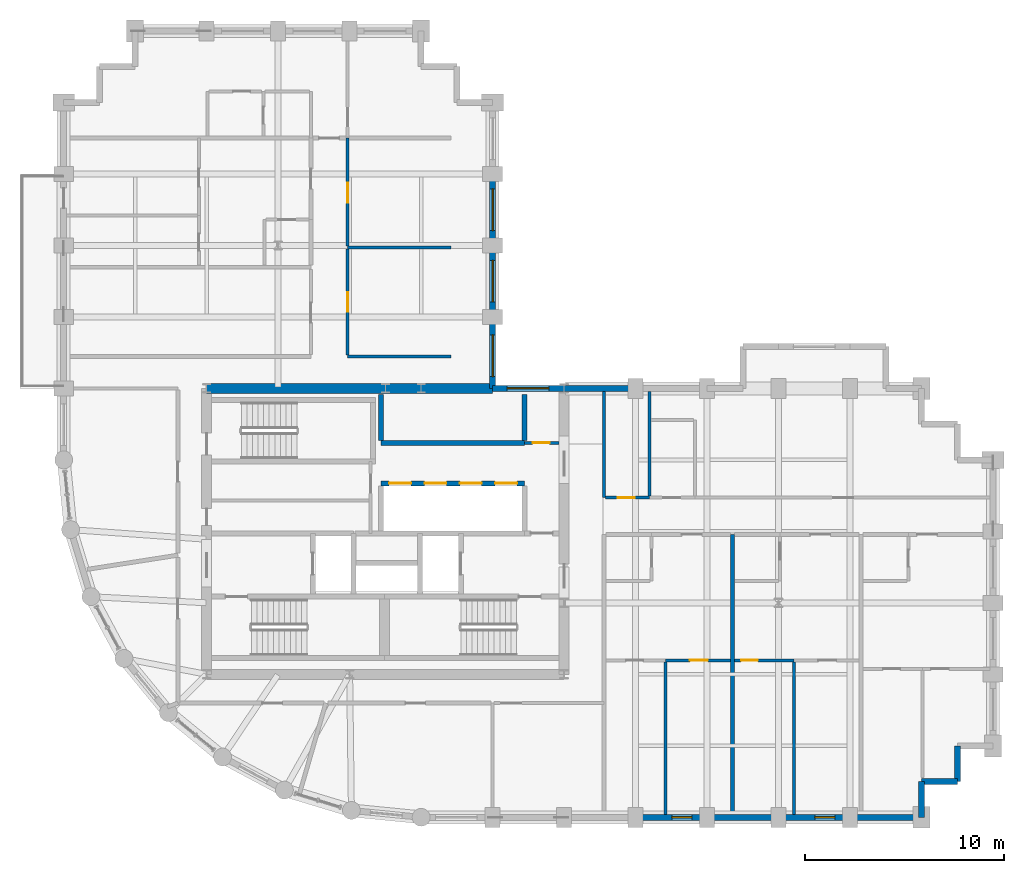
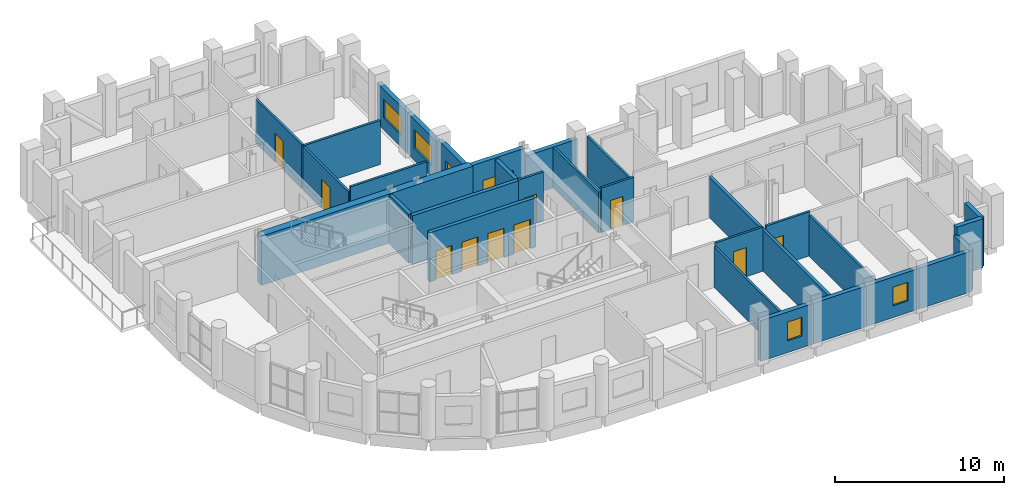
# One storey, part 11 of 15: 30 walls, 10 doors, 6 windows, 16 openings.
"""IFC4 building model written with IfcOpenShell, lengths in metres."""

from ifc_helpers import new_model, si_unit, direction, frame, frame_2d, origin, place, context, subcontext, project, spatial, rectangle, extrude, material, layer, layer_set, type_object, element, fill, save


model = new_model("IFC4")

# Units and contexts
model_context = context("Model", 3, precision=1e-05, world=origin(), true_north=direction((0.0, 1.0)))
body_context = subcontext(model_context, "Body", "Model", "MODEL_VIEW")
ifc_project = project(units=[si_unit("LENGTHUNIT", "METRE"), si_unit("AREAUNIT", "SQUARE_METRE"), si_unit("VOLUMEUNIT", "CUBIC_METRE"), si_unit("PLANEANGLEUNIT", "RADIAN"), si_unit("MASSUNIT", "GRAM", prefix="KILO")], contexts=[model_context])

# Site, building, storey
site_placement = place(None, origin())
site = spatial("IfcSite", under=ifc_project, at=site_placement, CompositionType="ELEMENT")
building_placement = place(site_placement, origin())
building = spatial("IfcBuilding", under=site, at=building_placement, Name="Solnavia Interchange Tower", CompositionType="ELEMENT")
storey_placement = place(building_placement, frame((0.0, 0.0, 146.60009765625)))
storey = spatial("IfcBuildingStorey", under=building, at=storey_placement, Name="L36", CompositionType="ELEMENT", Elevation=146.60009765625)

# Wall
ifc_material_1 = material(Name="Gypsum Acoustic Twin-Stud & Mineral Wool", Category="gypsum")
ifc_layer_1 = layer(ifc_material_1, 0.199951171875)
ifc_layer_set_1 = layer_set([ifc_layer_1], Name="Gypsum Acoustic Twin-Stud & Mineral Wool")
wall_type_1 = type_object("IfcWallType", Name="Wall-ApartmentParty-200", PredefinedType="PARTITIONING", material=ifc_layer_set_1)
wall_1_placement = place(storey_placement, frame((40.8701171875, 3.75390625, 0.0), z_axis=(0.0, 0.0, 1.0), x_axis=(0.0, 1.0, 0.0)))
element("IfcWall", 1, at=wall_1_placement, inside=storey, type_object=wall_type_1, Name="PTW-L36-18 Interior partition wall", PredefinedType="PARTITIONING", context=body_context, shape_type="SweptSolid", body=[
    extrude(rectangle(XDim=14.09619140625, YDim=0.199951171875, at=frame_2d((7.048095703125, 0.0))), origin(), (0.0, 0.0, 1.0), 2.929931640625),
])

# Wall, opening, window
ifc_material_2 = material(Name="Concrete C40/50", Category="concrete")
ifc_layer_2 = layer(ifc_material_2, 0.300048828125)
ifc_layer_set_2 = layer_set([ifc_layer_2], Name="Concrete C40/50")
wall_type_2 = type_object("IfcWallType", Name="Wall-ExtSpandrel-300", PredefinedType="STANDARD", material=ifc_layer_set_2)
wall_2_placement = place(storey_placement, frame((39.60009765625, 3.60009765625, 0.0), z_axis=(0.0, 0.0, 1.0), x_axis=(-1.0, 0.0, 0.0)))
wall_2 = element("IfcWall", 2, at=wall_2_placement, inside=storey, type_object=wall_type_2, Name="EXW-L36-04 Exterior precast spandrel wall", PredefinedType="STANDARD", context=body_context, shape_type="SweptSolid", body=[
    extrude(rectangle(XDim=3.60009765625, YDim=0.300048828125, at=frame_2d((1.800048828125, 0.0))), origin(), (0.0, 0.0, 1.0), 2.929931640625),
])
opening_1_placement = place(wall_2_placement, frame((0.76904296875, 0.0, 0.85009765625)))
opening_1 = element("IfcOpeningElement", 3, at=opening_1_placement, cuts=wall_2, Name="Opening WIN-07", PredefinedType="OPENING", context=body_context, shape_type="SweptSolid", body=[
    extrude(rectangle(XDim=1.0, YDim=1.35009765625, at=frame_2d((0.5, 0.675048828125))), frame((0.0, 0.16015625, 0.0), z_axis=(0.0, -1.0, 0.0), x_axis=(1.0, 0.0, 0.0)), (0.0, 0.0, 1.0), 0.320068359375),
])
ifc_material_3 = material(Name="Thermal-Break Aluminium & Low-E Glass", Category="aluminium")
window_type_1 = type_object("IfcWindowType", Name="Window-Bedroom-1000x1350", PartitioningType="SINGLE_PANEL", PredefinedType="WINDOW", material=ifc_material_3)
window_1_placement = place(opening_1_placement, origin())
window_1 = element("IfcWindow", 4, at=window_1_placement, inside=storey, type_object=window_type_1, Name="WIN-L36-DW01 Dwelling bedroom window", OverallHeight=1.35009765625, OverallWidth=1.0, PartitioningType="SINGLE_PANEL", PredefinedType="WINDOW", context=body_context, shape_type="SweptSolid", body=[
    extrude(rectangle(XDim=1.0, YDim=1.35009765625, at=frame_2d((0.5, 0.675048828125))), frame((0.0, 0.030029296875, 0.0), z_axis=(0.0, -1.0, 0.0), x_axis=(1.0, 0.0, 0.0)), (0.0, 0.0, 1.0), 0.06005859375),
])
fill(opening_1, window_1)

# Wall
wall_3_placement = place(storey_placement, frame((43.199951171875, 3.60009765625, 0.0), z_axis=(0.0, 0.0, 1.0), x_axis=(-1.0, 0.0, 0.0)))
element("IfcWall", 5, at=wall_3_placement, inside=storey, type_object=wall_type_2, Name="EXW-L36-05 Exterior precast spandrel wall", PredefinedType="STANDARD", context=body_context, shape_type="SweptSolid", body=[
    extrude(rectangle(XDim=3.599853515625, YDim=0.300048828125, at=frame_2d((1.7998046875, 0.0))), origin(), (0.0, 0.0, 1.0), 2.929931640625),
])

# Wall, opening, window
wall_4_placement = place(storey_placement, frame((46.800048828125, 3.60009765625, 0.0), z_axis=(0.0, 0.0, 1.0), x_axis=(-1.0, 0.0, 0.0)))
wall_4 = element("IfcWall", 6, at=wall_4_placement, inside=storey, type_object=wall_type_2, Name="EXW-L36-06 Exterior precast spandrel wall", PredefinedType="STANDARD", context=body_context, shape_type="SweptSolid", body=[
    extrude(rectangle(XDim=3.60009765625, YDim=0.300048828125, at=frame_2d((1.800048828125, 0.0))), origin(), (0.0, 0.0, 1.0), 2.929931640625),
])
opening_2_placement = place(wall_4_placement, frame((0.76904296875, 0.0, 0.85009765625)))
opening_2 = element("IfcOpeningElement", 7, at=opening_2_placement, cuts=wall_4, Name="Opening WIN-07", PredefinedType="OPENING", context=body_context, shape_type="SweptSolid", body=[
    extrude(rectangle(XDim=1.0, YDim=1.35009765625, at=frame_2d((0.5, 0.675048828125))), frame((0.0, 0.16015625, 0.0), z_axis=(0.0, -1.0, 0.0), x_axis=(1.0, 0.0, 0.0)), (0.0, 0.0, 1.0), 0.320068359375),
])
window_2_placement = place(opening_2_placement, origin())
window_2 = element("IfcWindow", 8, at=window_2_placement, inside=storey, type_object=window_type_1, Name="WIN-L36-DW02 Dwelling bedroom window", OverallHeight=1.35009765625, OverallWidth=1.0, PartitioningType="SINGLE_PANEL", PredefinedType="WINDOW", context=body_context, shape_type="SweptSolid", body=[
    extrude(rectangle(XDim=1.0, YDim=1.35009765625, at=frame_2d((0.5, 0.675048828125))), frame((0.0, 0.030029296875, 0.0), z_axis=(0.0, -1.0, 0.0), x_axis=(1.0, 0.0, 0.0)), (0.0, 0.0, 1.0), 0.06005859375),
])
fill(opening_2, window_2)

# Walls
wall_5_placement = place(storey_placement, frame((50.39990234375, 3.60009765625, 0.0), z_axis=(0.0, 0.0, 1.0), x_axis=(-1.0, 0.0, 0.0)))
element("IfcWall", 9, at=wall_5_placement, inside=storey, type_object=wall_type_2, Name="EXW-L36-07 Exterior precast spandrel wall", PredefinedType="STANDARD", context=body_context, shape_type="SweptSolid", body=[
    extrude(rectangle(XDim=3.599853515625, YDim=0.300048828125, at=frame_2d((1.7998046875, 0.0))), origin(), (0.0, 0.0, 1.0), 2.929931640625),
])
wall_6_placement = place(storey_placement, frame((50.39990234375, 5.39990234375, 0.0), z_axis=(0.0, 0.0, 1.0), x_axis=(0.0, -1.0, 0.0)))
element("IfcWall", 10, at=wall_6_placement, inside=storey, type_object=wall_type_2, Name="EXW-L36-08 Exterior precast spandrel wall", PredefinedType="STANDARD", context=body_context, shape_type="SweptSolid", body=[
    extrude(rectangle(XDim=1.7998046875, YDim=0.300048828125, at=frame_2d((0.89990234375, 0.0))), origin(), (0.0, 0.0, 1.0), 2.929931640625),
])
for number, where, z_axis, x_axis, name in (
    (11, (52.199951171875, 5.39990234375, 0.0), (0.0, 0.0, 1.0), (-1.0, 0.0, 0.0), "EXW-L36-09 Exterior precast spandrel wall"),
    (12, (52.199951171875, 7.199951171875, 0.0), (0.0, 0.0, 1.0), (0.0, -1.0, 0.0), "EXW-L36-10 Exterior precast spandrel wall"),
):
    element("IfcWall", number, at=place(storey_placement, frame(where, z_axis=z_axis, x_axis=x_axis)), inside=storey, type_object=wall_type_2, Name=name, PredefinedType="STANDARD", context=body_context, shape_type="SweptSolid", body=[
        extrude(rectangle(XDim=1.800048828125, YDim=0.300048828125, at=frame_2d((0.89990234375, 0.0))), origin(), (0.0, 0.0, 1.0), 3.534912109375),
    ])
wall_7_placement = place(storey_placement, frame((32.39990234375, 25.199951171875, 0.0), z_axis=(0.0, 0.0, 1.0), x_axis=(1.0, 0.0, 0.0)))
element("IfcWall", 13, at=wall_7_placement, inside=storey, type_object=wall_type_2, Name="EXW-L36-28 Exterior precast spandrel wall", PredefinedType="STANDARD", context=body_context, shape_type="SweptSolid", body=[
    extrude(rectangle(XDim=3.60009765625, YDim=0.300048828125, at=frame_2d((1.800048828125, 0.0))), origin(), (0.0, 0.0, 1.0), 2.929931640625),
])

# Wall, opening, window
wall_8_placement = place(storey_placement, frame((28.800048828125, 25.199951171875, 0.0), z_axis=(0.0, 0.0, 1.0), x_axis=(1.0, 0.0, 0.0)))
wall_8 = element("IfcWall", 14, at=wall_8_placement, inside=storey, type_object=wall_type_2, Name="EXW-L36-29 Exterior precast spandrel wall", PredefinedType="STANDARD", context=body_context, shape_type="SweptSolid", body=[
    extrude(rectangle(XDim=3.599853515625, YDim=0.300048828125, at=frame_2d((1.7998046875, 0.0))), origin(), (0.0, 0.0, 1.0), 3.534912109375),
])
opening_3_placement = place(wall_8_placement, frame((0.73388671875, 0.0, 0.85009765625)))
opening_3 = element("IfcOpeningElement", 15, at=opening_3_placement, cuts=wall_8, Name="Opening WIN-01", PredefinedType="OPENING", context=body_context, shape_type="SweptSolid", body=[
    extrude(rectangle(XDim=2.10009765625, YDim=1.35009765625, at=frame_2d((1.050048828125, 0.675048828125))), frame((0.0, 0.16015625, 0.0), z_axis=(0.0, -1.0, 0.0), x_axis=(1.0, 0.0, 0.0)), (0.0, 0.0, 1.0), 0.320068359375),
])
window_type_2 = type_object("IfcWindowType", Name="Window-Ribbon-2100x1350", PartitioningType="SINGLE_PANEL", PredefinedType="WINDOW", material=ifc_material_3)
window_3_placement = place(opening_3_placement, origin())
window_3 = element("IfcWindow", 16, at=window_3_placement, inside=storey, type_object=window_type_2, Name="WIN-L36-29 Facade ribbon window", OverallHeight=1.35009765625, OverallWidth=2.10009765625, PartitioningType="SINGLE_PANEL", PredefinedType="WINDOW", context=body_context, shape_type="SweptSolid", body=[
    extrude(rectangle(XDim=2.10009765625, YDim=1.35009765625, at=frame_2d((1.050048828125, 0.675048828125))), frame((0.0, 0.030029296875, 0.0), z_axis=(0.0, -1.0, 0.0), x_axis=(1.0, 0.0, 0.0)), (0.0, 0.0, 1.0), 0.06005859375),
])
fill(opening_3, window_3)

wall_9_placement = place(storey_placement, frame((28.800048828125, 28.800048828125, 0.0), z_axis=(0.0, 0.0, 1.0), x_axis=(0.0, -1.0, 0.0)))
wall_9 = element("IfcWall", 17, at=wall_9_placement, inside=storey, type_object=wall_type_2, Name="EXW-L36-30 Exterior precast spandrel wall", PredefinedType="STANDARD", context=body_context, shape_type="SweptSolid", body=[
    extrude(rectangle(XDim=3.60009765625, YDim=0.300048828125, at=frame_2d((1.800048828125, 0.0))), origin(), (0.0, 0.0, 1.0), 3.169921875),
])
opening_4_placement = place(wall_9_placement, frame((0.905029296875, 0.0, 0.85009765625)))
opening_4 = element("IfcOpeningElement", 18, at=opening_4_placement, cuts=wall_9, Name="Opening WIN-01", PredefinedType="OPENING", context=body_context, shape_type="SweptSolid", body=[
    extrude(rectangle(XDim=2.10009765625, YDim=1.35009765625, at=frame_2d((1.050048828125, 0.675048828125))), frame((0.0, 0.16015625, 0.0), z_axis=(0.0, -1.0, 0.0), x_axis=(1.0, 0.0, 0.0)), (0.0, 0.0, 1.0), 0.320068359375),
])
window_4_placement = place(opening_4_placement, origin())
window_4 = element("IfcWindow", 19, at=window_4_placement, inside=storey, type_object=window_type_2, Name="WIN-L36-30 Facade ribbon window", OverallHeight=1.35009765625, OverallWidth=2.10009765625, PartitioningType="SINGLE_PANEL", PredefinedType="WINDOW", context=body_context, shape_type="SweptSolid", body=[
    extrude(rectangle(XDim=2.10009765625, YDim=1.35009765625, at=frame_2d((1.050048828125, 0.675048828125))), frame((0.0, 0.030029296875, 0.0), z_axis=(0.0, -1.0, 0.0), x_axis=(1.0, 0.0, 0.0)), (0.0, 0.0, 1.0), 0.06005859375),
])
fill(opening_4, window_4)

wall_10_placement = place(storey_placement, frame((28.800048828125, 32.39990234375, 0.0), z_axis=(0.0, 0.0, 1.0), x_axis=(0.0, -1.0, 0.0)))
wall_10 = element("IfcWall", 20, at=wall_10_placement, inside=storey, type_object=wall_type_2, Name="EXW-L36-31 Exterior precast spandrel wall", PredefinedType="STANDARD", context=body_context, shape_type="SweptSolid", body=[
    extrude(rectangle(XDim=3.599853515625, YDim=0.300048828125, at=frame_2d((1.7998046875, 0.0))), origin(), (0.0, 0.0, 1.0), 2.929931640625),
])
opening_5_placement = place(wall_10_placement, frame((0.75, 0.0, 0.85009765625)))
opening_5 = element("IfcOpeningElement", 21, at=opening_5_placement, cuts=wall_10, Name="Opening WIN-01", PredefinedType="OPENING", context=body_context, shape_type="SweptSolid", body=[
    extrude(rectangle(XDim=2.10009765625, YDim=1.35009765625, at=frame_2d((1.050048828125, 0.675048828125))), frame((0.0, 0.16015625, 0.0), z_axis=(0.0, -1.0, 0.0), x_axis=(1.0, 0.0, 0.0)), (0.0, 0.0, 1.0), 0.320068359375),
])
window_5_placement = place(opening_5_placement, origin())
window_5 = element("IfcWindow", 22, at=window_5_placement, inside=storey, type_object=window_type_2, Name="WIN-L36-31 Facade ribbon window", OverallHeight=1.35009765625, OverallWidth=2.10009765625, PartitioningType="SINGLE_PANEL", PredefinedType="WINDOW", context=body_context, shape_type="SweptSolid", body=[
    extrude(rectangle(XDim=2.10009765625, YDim=1.35009765625, at=frame_2d((1.050048828125, 0.675048828125))), frame((0.0, 0.030029296875, 0.0), z_axis=(0.0, -1.0, 0.0), x_axis=(1.0, 0.0, 0.0)), (0.0, 0.0, 1.0), 0.06005859375),
])
fill(opening_5, window_5)

wall_11_placement = place(storey_placement, frame((28.800048828125, 36.0, 0.0), z_axis=(0.0, 0.0, 1.0), x_axis=(0.0, -1.0, 0.0)))
wall_11 = element("IfcWall", 23, at=wall_11_placement, inside=storey, type_object=wall_type_2, Name="EXW-L36-32 Exterior precast spandrel wall", PredefinedType="STANDARD", context=body_context, shape_type="SweptSolid", body=[
    extrude(rectangle(XDim=3.60009765625, YDim=0.300048828125, at=frame_2d((1.800048828125, 0.0))), origin(), (0.0, 0.0, 1.0), 2.929931640625),
])
opening_6_placement = place(wall_11_placement, frame((0.75, 0.0, 0.85009765625)))
opening_6 = element("IfcOpeningElement", 24, at=opening_6_placement, cuts=wall_11, Name="Opening WIN-01", PredefinedType="OPENING", context=body_context, shape_type="SweptSolid", body=[
    extrude(rectangle(XDim=2.10009765625, YDim=1.35009765625, at=frame_2d((1.050048828125, 0.675048828125))), frame((0.0, 0.16015625, 0.0), z_axis=(0.0, -1.0, 0.0), x_axis=(1.0, 0.0, 0.0)), (0.0, 0.0, 1.0), 0.320068359375),
])
window_6_placement = place(opening_6_placement, origin())
window_6 = element("IfcWindow", 25, at=window_6_placement, inside=storey, type_object=window_type_2, Name="WIN-L36-32 Facade ribbon window", OverallHeight=1.35009765625, OverallWidth=2.10009765625, PartitioningType="SINGLE_PANEL", PredefinedType="WINDOW", context=body_context, shape_type="SweptSolid", body=[
    extrude(rectangle(XDim=2.10009765625, YDim=1.35009765625, at=frame_2d((1.050048828125, 0.675048828125))), frame((0.0, 0.030029296875, 0.0), z_axis=(0.0, -1.0, 0.0), x_axis=(1.0, 0.0, 0.0)), (0.0, 0.0, 1.0), 0.06005859375),
])
fill(opening_6, window_6)

# Wall, opening, door
ifc_material_4 = material(Name="Gypsum Plasterboard & Steel Stud", Category="steel")
ifc_layer_3 = layer(ifc_material_4, 0.14990234375)
ifc_layer_set_3 = layer_set([ifc_layer_3], Name="Gypsum Plasterboard & Steel Stud")
wall_type_3 = type_object("IfcWallType", Name="Wall-Partition-150", PredefinedType="PARTITIONING", material=ifc_layer_set_3)
wall_12_placement = place(storey_placement, frame((30.39990234375, 22.4599609375, 0.0), z_axis=(0.0, 0.0, 1.0), x_axis=(1.0, 0.0, 0.0)))
wall_12 = element("IfcWall", 26, at=wall_12_placement, inside=storey, type_object=wall_type_3, Name="CSW-L36-NE-S Core shaft wall", PredefinedType="PARTITIONING", context=body_context, shape_type="SweptSolid", body=[
    extrude(rectangle(XDim=1.75, YDim=0.14990234375, at=frame_2d((0.875, 0.0))), origin(), (0.0, 0.0, 1.0), 3.534912109375),
])
opening_7_placement = place(wall_12_placement, frame((0.419921875, 0.0, 0.0)))
opening_7 = element("IfcOpeningElement", 27, at=opening_7_placement, cuts=wall_12, Name="Opening DR-10", PredefinedType="OPENING", context=body_context, shape_type="SweptSolid", body=[
    extrude(rectangle(XDim=0.85009765625, YDim=2.10009765625, at=frame_2d((0.425048828125, 1.050048828125))), frame((0.0, 0.0849609375, 0.0), z_axis=(0.0, -1.0, 0.0), x_axis=(1.0, 0.0, 0.0)), (0.0, 0.0, 1.0), 0.169921875),
])
ifc_material_5 = material(Name="Moisture-Resistant Timber Door", Category="wood")
door_type_1 = type_object("IfcDoorType", Name="Door-Bathroom-850x2100", OperationType="SINGLE_SWING_RIGHT", PredefinedType="DOOR", material=ifc_material_5)
door_1_placement = place(opening_7_placement, origin())
door_1 = element("IfcDoor", 28, at=door_1_placement, inside=storey, type_object=door_type_1, Name="DR-L36-CS3 Core fire door", OperationType="SINGLE_SWING_RIGHT", OverallHeight=2.10009765625, OverallWidth=0.85009765625, PredefinedType="DOOR", context=body_context, shape_type="SweptSolid", body=[
    extrude(rectangle(XDim=0.85009765625, YDim=2.10009765625, at=frame_2d((0.425048828125, 1.050048828125))), frame((0.0, 0.02490234375, 0.0), z_axis=(0.0, -1.0, 0.0), x_axis=(1.0, 0.0, 0.0)), (0.0, 0.0, 1.0), 0.050048828125),
])
fill(opening_7, door_1)

wall_13_placement = place(storey_placement, frame((37.5, 11.5, 0.0), z_axis=(0.0, 0.0, 1.0), x_axis=(1.0, 0.0, 0.0)))
wall_13 = element("IfcWall", 29, at=wall_13_placement, inside=storey, type_object=wall_type_3, Name="PTW-L36-23 Interior partition wall", PredefinedType="PARTITIONING", context=body_context, shape_type="SweptSolid", body=[
    extrude(rectangle(XDim=3.26611328125, YDim=0.14990234375, at=frame_2d((1.633056640625, 0.0))), origin(), (0.0, 0.0, 1.0), 3.169921875),
])
opening_8_placement = place(wall_13_placement, frame((1.235107421875, 0.0, 0.0)))
opening_8 = element("IfcOpeningElement", 30, at=opening_8_placement, cuts=wall_13, Name="Opening DR-09", PredefinedType="OPENING", context=body_context, shape_type="SweptSolid", body=[
    extrude(rectangle(XDim=0.89990234375, YDim=2.10009765625, at=frame_2d((0.449951171875, 1.050048828125))), frame((0.0, 0.0849609375, 0.0), z_axis=(0.0, -1.0, 0.0), x_axis=(1.0, 0.0, 0.0)), (0.0, 0.0, 1.0), 0.169921875),
])
ifc_material_6 = material(Name="Engineered Oak Veneer Door", Category="wood")
door_type_2 = type_object("IfcDoorType", Name="Door-Internal-900x2100", OperationType="SINGLE_SWING_LEFT", PredefinedType="DOOR", material=ifc_material_6)
door_2_placement = place(opening_8_placement, origin())
door_2 = element("IfcDoor", 31, at=door_2_placement, inside=storey, type_object=door_type_2, Name="DR-L36-10 Interior room door", OperationType="SINGLE_SWING_RIGHT", OverallHeight=2.10009765625, OverallWidth=0.89990234375, PredefinedType="DOOR", context=body_context, shape_type="SweptSolid", body=[
    extrude(rectangle(XDim=0.89990234375, YDim=2.10009765625, at=frame_2d((0.449951171875, 1.050048828125))), frame((0.0, 0.02490234375, 0.0), z_axis=(0.0, -1.0, 0.0), x_axis=(1.0, 0.0, 0.0)), (0.0, 0.0, 1.0), 0.050048828125),
])
fill(opening_8, door_2)

# Walls
wall_14_placement = place(storey_placement, frame((21.5, 26.800048828125, 0.0), z_axis=(0.0, 0.0, 1.0), x_axis=(1.0, 0.0, 0.0)))
element("IfcWall", 32, at=wall_14_placement, inside=storey, type_object=wall_type_3, Name="PTW-L36-52 Interior partition wall", PredefinedType="PARTITIONING", context=body_context, shape_type="SweptSolid", body=[
    extrude(rectangle(XDim=5.199951171875, YDim=0.14990234375, at=frame_2d((2.60009765625, 0.0))), origin(), (0.0, 0.0, 1.0), 3.534912109375),
])
wall_15_placement = place(storey_placement, frame((21.5, 32.300048828125, 0.0), z_axis=(0.0, 0.0, 1.0), x_axis=(1.0, 0.0, 0.0)))
element("IfcWall", 33, at=wall_15_placement, inside=storey, type_object=wall_type_3, Name="PTW-L36-53 Interior partition wall", PredefinedType="PARTITIONING", context=body_context, shape_type="SweptSolid", body=[
    extrude(rectangle(XDim=5.199951171875, YDim=0.14990234375, at=frame_2d((2.60009765625, 0.0))), origin(), (0.0, 0.0, 1.0), 3.179931640625),
])

# Wall, opening, door
wall_16_placement = place(storey_placement, frame((21.5, 26.87890625, 0.0), z_axis=(0.0, 0.0, 1.0), x_axis=(0.0, 1.0, 0.0)))
wall_16 = element("IfcWall", 34, at=wall_16_placement, inside=storey, type_object=wall_type_3, Name="PTW-L36-54 Interior partition wall", PredefinedType="PARTITIONING", context=body_context, shape_type="SweptSolid", body=[
    extrude(rectangle(XDim=5.342041015625, YDim=0.14990234375, at=frame_2d((2.6708984375, 0.0))), origin(), (0.0, 0.0, 1.0), 3.1298828125),
])
opening_9_placement = place(wall_16_placement, frame((2.1708984375, 0.0, 0.0)))
opening_9 = element("IfcOpeningElement", 35, at=opening_9_placement, cuts=wall_16, Name="Opening DR-07", PredefinedType="OPENING", context=body_context, shape_type="SweptSolid", body=[
    extrude(rectangle(XDim=1.0, YDim=2.10009765625, at=frame_2d((0.5, 1.050048828125))), frame((0.0, 0.0849609375, 0.0), z_axis=(0.0, -1.0, 0.0), x_axis=(1.0, 0.0, 0.0)), (0.0, 0.0, 1.0), 0.169921875),
])
ifc_material_7 = material(Name="Timber & Acoustic Glazed Office Door", Category="wood")
door_type_3 = type_object("IfcDoorType", Name="Door-Office-1000x2100", OperationType="SINGLE_SWING_RIGHT", PredefinedType="DOOR", material=ifc_material_7)
door_3_placement = place(opening_9_placement, origin())
door_3 = element("IfcDoor", 36, at=door_3_placement, inside=storey, type_object=door_type_3, Name="DR-L36-26 Interior room door", OperationType="SINGLE_SWING_LEFT", OverallHeight=2.10009765625, OverallWidth=1.0, PredefinedType="DOOR", context=body_context, shape_type="SweptSolid", body=[
    extrude(rectangle(XDim=1.0, YDim=2.10009765625, at=frame_2d((0.5, 1.050048828125))), frame((0.0, 0.02490234375, 0.0), z_axis=(0.0, -1.0, 0.0), x_axis=(1.0, 0.0, 0.0)), (0.0, 0.0, 1.0), 0.050048828125),
])
fill(opening_9, door_3)

wall_17_placement = place(storey_placement, frame((21.5, 32.37890625, 0.0), z_axis=(0.0, 0.0, 1.0), x_axis=(0.0, 1.0, 0.0)))
wall_17 = element("IfcWall", 37, at=wall_17_placement, inside=storey, type_object=wall_type_3, Name="PTW-L36-55 Interior partition wall", PredefinedType="PARTITIONING", context=body_context, shape_type="SweptSolid", body=[
    extrude(rectangle(XDim=5.421142578125, YDim=0.14990234375, at=frame_2d((2.71044921875, 0.0))), origin(), (0.0, 0.0, 1.0), 3.169921875),
])
opening_10_placement = place(wall_17_placement, frame((2.1708984375, 0.0, 0.0)))
opening_10 = element("IfcOpeningElement", 38, at=opening_10_placement, cuts=wall_17, Name="Opening DR-07", PredefinedType="OPENING", context=body_context, shape_type="SweptSolid", body=[
    extrude(rectangle(XDim=1.0, YDim=2.10009765625, at=frame_2d((0.5, 1.050048828125))), frame((0.0, 0.0849609375, 0.0), z_axis=(0.0, -1.0, 0.0), x_axis=(1.0, 0.0, 0.0)), (0.0, 0.0, 1.0), 0.169921875),
])
door_4_placement = place(opening_10_placement, origin())
door_4 = element("IfcDoor", 39, at=door_4_placement, inside=storey, type_object=door_type_3, Name="DR-L36-27 Interior room door", OperationType="SINGLE_SWING_LEFT", OverallHeight=2.10009765625, OverallWidth=1.0, PredefinedType="DOOR", context=body_context, shape_type="SweptSolid", body=[
    extrude(rectangle(XDim=1.0, YDim=2.10009765625, at=frame_2d((0.5, 1.050048828125))), frame((0.0, 0.02490234375, 0.0), z_axis=(0.0, -1.0, 0.0), x_axis=(1.0, 0.0, 0.0)), (0.0, 0.0, 1.0), 0.050048828125),
])
fill(opening_10, door_4)

# Wall, openings, doors
ifc_layer_4 = layer(ifc_material_2, 0.25)
ifc_layer_set_4 = layer_set([ifc_layer_4], Name="Concrete C40/50")
wall_type_4 = type_object("IfcWallType", Name="Wall-ShaftPart-250", PredefinedType="PARTITIONING", material=ifc_layer_set_4)
wall_18_placement = place(storey_placement, frame((23.179931640625, 20.419921875, 0.0), z_axis=(0.0, 0.0, 1.0), x_axis=(1.0, 0.0, 0.0)))
wall_18 = element("IfcWall", 40, at=wall_18_placement, inside=storey, type_object=wall_type_4, Name="SHW-L36-B2N Core shaft wall", PredefinedType="PARTITIONING", context=body_context, shape_type="SweptSolid", body=[
    extrude(rectangle(XDim=7.219970703125, YDim=0.25, at=frame_2d((3.60986328125, 0.0))), origin(), (0.0, 0.0, 1.0), 3.534912109375),
])
opening_11_placement = place(wall_18_placement, frame((0.409912109375, 0.0, 0.0)))
opening_11 = element("IfcOpeningElement", 41, at=opening_11_placement, cuts=wall_18, Name="Opening LD-01", PredefinedType="OPENING", context=body_context, shape_type="SweptSolid", body=[
    extrude(rectangle(XDim=1.10009765625, YDim=2.10009765625, at=frame_2d((0.550048828125, 1.050048828125))), frame((0.0, 0.135009765625, 0.0), z_axis=(0.0, -1.0, 0.0), x_axis=(1.0, 0.0, 0.0)), (0.0, 0.0, 1.0), 0.27001953125),
])
opening_12_placement = place(wall_18_placement, frame((2.18994140625, 0.0, 0.0)))
opening_12 = element("IfcOpeningElement", 42, at=opening_12_placement, cuts=wall_18, Name="Opening LD-01", PredefinedType="OPENING", context=body_context, shape_type="SweptSolid", body=[
    extrude(rectangle(XDim=1.10009765625, YDim=2.10009765625, at=frame_2d((0.550048828125, 1.050048828125))), frame((0.0, 0.135009765625, 0.0), z_axis=(0.0, -1.0, 0.0), x_axis=(1.0, 0.0, 0.0)), (0.0, 0.0, 1.0), 0.27001953125),
])
opening_13_placement = place(wall_18_placement, frame((3.969970703125, 0.0, 0.0)))
opening_13 = element("IfcOpeningElement", 43, at=opening_13_placement, cuts=wall_18, Name="Opening LD-01", PredefinedType="OPENING", context=body_context, shape_type="SweptSolid", body=[
    extrude(rectangle(XDim=1.10009765625, YDim=2.10009765625, at=frame_2d((0.550048828125, 1.050048828125))), frame((0.0, 0.135009765625, 0.0), z_axis=(0.0, -1.0, 0.0), x_axis=(1.0, 0.0, 0.0)), (0.0, 0.0, 1.0), 0.27001953125),
])
opening_14_placement = place(wall_18_placement, frame((5.75, 0.0, 0.0)))
opening_14 = element("IfcOpeningElement", 44, at=opening_14_placement, cuts=wall_18, Name="Opening LD-01", PredefinedType="OPENING", context=body_context, shape_type="SweptSolid", body=[
    extrude(rectangle(XDim=1.10009765625, YDim=2.10009765625, at=frame_2d((0.550048828125, 1.050048828125))), frame((0.0, 0.135009765625, 0.0), z_axis=(0.0, -1.0, 0.0), x_axis=(1.0, 0.0, 0.0)), (0.0, 0.0, 1.0), 0.27001953125),
])
ifc_material_8 = material(Name="Brushed Stainless Steel Sliding Door", Category="steel")
door_type_4 = type_object("IfcDoorType", Name="Door-LiftLanding-1100x2100", OperationType="SLIDING_TO_LEFT", PredefinedType="DOOR", material=ifc_material_8)
door_5_placement = place(opening_11_placement, origin())
door_5 = element("IfcDoor", 45, at=door_5_placement, inside=storey, type_object=door_type_4, Name="LD-L36-B2-1 Lift landing sliding door", OperationType="SLIDING_TO_LEFT", OverallHeight=2.10009765625, OverallWidth=1.10009765625, PredefinedType="DOOR", context=body_context, shape_type="SweptSolid", body=[
    extrude(rectangle(XDim=1.10009765625, YDim=2.10009765625, at=frame_2d((0.550048828125, 1.050048828125))), frame((0.0, 0.02490234375, 0.0), z_axis=(0.0, -1.0, 0.0), x_axis=(1.0, 0.0, 0.0)), (0.0, 0.0, 1.0), 0.050048828125),
])
fill(opening_11, door_5)
door_6_placement = place(opening_12_placement, origin())
door_6 = element("IfcDoor", 46, at=door_6_placement, inside=storey, type_object=door_type_4, Name="LD-L36-B2-2 Lift landing sliding door", OperationType="SLIDING_TO_LEFT", OverallHeight=2.10009765625, OverallWidth=1.10009765625, PredefinedType="DOOR", context=body_context, shape_type="SweptSolid", body=[
    extrude(rectangle(XDim=1.10009765625, YDim=2.10009765625, at=frame_2d((0.550048828125, 1.050048828125))), frame((0.0, 0.02490234375, 0.0), z_axis=(0.0, -1.0, 0.0), x_axis=(1.0, 0.0, 0.0)), (0.0, 0.0, 1.0), 0.050048828125),
])
fill(opening_12, door_6)
door_7_placement = place(opening_13_placement, origin())
door_7 = element("IfcDoor", 47, at=door_7_placement, inside=storey, type_object=door_type_4, Name="LD-L36-B2-3 Lift landing sliding door", OperationType="SLIDING_TO_LEFT", OverallHeight=2.10009765625, OverallWidth=1.10009765625, PredefinedType="DOOR", context=body_context, shape_type="SweptSolid", body=[
    extrude(rectangle(XDim=1.10009765625, YDim=2.10009765625, at=frame_2d((0.550048828125, 1.050048828125))), frame((0.0, 0.02490234375, 0.0), z_axis=(0.0, -1.0, 0.0), x_axis=(1.0, 0.0, 0.0)), (0.0, 0.0, 1.0), 0.050048828125),
])
fill(opening_13, door_7)
door_8_placement = place(opening_14_placement, origin())
door_8 = element("IfcDoor", 48, at=door_8_placement, inside=storey, type_object=door_type_4, Name="LD-L36-B2-4 Lift landing sliding door", OperationType="SLIDING_TO_LEFT", OverallHeight=2.10009765625, OverallWidth=1.10009765625, PredefinedType="DOOR", context=body_context, shape_type="SweptSolid", body=[
    extrude(rectangle(XDim=1.10009765625, YDim=2.10009765625, at=frame_2d((0.550048828125, 1.050048828125))), frame((0.0, 0.02490234375, 0.0), z_axis=(0.0, -1.0, 0.0), x_axis=(1.0, 0.0, 0.0)), (0.0, 0.0, 1.0), 0.050048828125),
])
fill(opening_14, door_8)

# Walls
wall_19_placement = place(storey_placement, frame((23.179931640625, 22.4599609375, 0.0), z_axis=(0.0, 0.0, 1.0), x_axis=(1.0, 0.0, 0.0)))
element("IfcWall", 49, at=wall_19_placement, inside=storey, type_object=wall_type_4, Name="SHW-L36-B3S Core shaft wall", PredefinedType="PARTITIONING", context=body_context, shape_type="SweptSolid", body=[
    extrude(rectangle(XDim=7.219970703125, YDim=0.25, at=frame_2d((3.60986328125, 0.0))), origin(), (0.0, 0.0, 1.0), 3.534912109375),
])
for number, where, z_axis, x_axis, name in (
    (50, (23.179931640625, 22.5849609375, 0.0), (0.0, 0.0, 1.0), (0.0, 1.0, 0.0), "SHW-L36-B3W Core shaft wall"),
    (51, (30.39990234375, 22.5849609375, 0.0), (0.0, 0.0, 1.0), (0.0, 1.0, 0.0), "SHW-L36-B3E Core shaft wall"),
):
    element("IfcWall", number, at=place(storey_placement, frame(where, z_axis=z_axis, x_axis=x_axis)), inside=storey, type_object=wall_type_4, Name=name, PredefinedType="PARTITIONING", context=body_context, shape_type="SweptSolid", body=[
        extrude(rectangle(XDim=2.31494140625, YDim=0.25, at=frame_2d((1.157470703125, 0.0))), origin(), (0.0, 0.0, 1.0), 3.534912109375),
    ])
ifc_material_9 = material(Name="Concrete C60/75", Category="concrete")
ifc_layer_5 = layer(ifc_material_9, 0.5)
ifc_layer_set_5 = layer_set([ifc_layer_5], Name="Concrete C60/75")
wall_type_5 = type_object("IfcWallType", Name="Wall-ShearCore-500", PredefinedType="SHEAR", material=ifc_layer_set_5)
wall_20_placement = place(storey_placement, frame((14.39990234375, 25.199951171875, 0.0), z_axis=(0.0, 0.0, 1.0), x_axis=(1.0, 0.0, 0.0)))
element("IfcWall", 52, at=wall_20_placement, inside=storey, type_object=wall_type_5, Name="CRW-L36-N Core shear wall", PredefinedType="SHEAR", context=body_context, shape_type="SweptSolid", body=[
    extrude(rectangle(XDim=14.400146484375, YDim=0.5, at=frame_2d((7.2001953125, 0.0))), origin(), (0.0, 0.0, 1.0), 3.5498046875),
])
ifc_material_10 = material(Name="Moisture-Resistant Gypsum & Steel Stud", Category="steel")
ifc_layer_6 = layer(ifc_material_10, 0.14990234375)
ifc_layer_set_6 = layer_set([ifc_layer_6], Name="Moisture-Resistant Gypsum & Steel Stud")
wall_type_6 = type_object("IfcWallType", Name="Wall-WetRoom-150", PredefinedType="PARTITIONING", material=ifc_layer_set_6)
wall_21_placement = place(storey_placement, frame((34.39990234375, 19.699951171875, 0.0), z_axis=(0.0, 0.0, 1.0), x_axis=(0.0, 1.0, 0.0)))
element("IfcWall", 53, at=wall_21_placement, inside=storey, type_object=wall_type_6, Name="PTW-L36-01 Interior partition wall", PredefinedType="PARTITIONING", context=body_context, shape_type="SweptSolid", body=[
    extrude(rectangle(XDim=5.345947265625, YDim=0.14990234375, at=frame_2d((2.6728515625, 0.0))), origin(), (0.0, 0.0, 1.0), 2.929931640625),
])

# Wall, opening, door
wall_22_placement = place(storey_placement, frame((34.47900390625, 19.699951171875, 0.0), z_axis=(0.0, 0.0, 1.0), x_axis=(1.0, 0.0, 0.0)))
wall_22 = element("IfcWall", 54, at=wall_22_placement, inside=storey, type_object=wall_type_6, Name="PTW-L36-02 Interior partition wall", PredefinedType="PARTITIONING", context=body_context, shape_type="SweptSolid", body=[
    extrude(rectangle(XDim=2.220947265625, YDim=0.14990234375, at=frame_2d((1.1103515625, 0.0))), origin(), (0.0, 0.0, 1.0), 3.219970703125),
])
opening_15_placement = place(wall_22_placement, frame((0.617919921875, 0.0, 0.0)))
opening_15 = element("IfcOpeningElement", 55, at=opening_15_placement, cuts=wall_22, Name="Opening DR-10", PredefinedType="OPENING", context=body_context, shape_type="SweptSolid", body=[
    extrude(rectangle(XDim=0.85009765625, YDim=2.10009765625, at=frame_2d((0.425048828125, 1.050048828125))), frame((0.0, 0.0849609375, 0.0), z_axis=(0.0, -1.0, 0.0), x_axis=(1.0, 0.0, 0.0)), (0.0, 0.0, 1.0), 0.169921875),
])
door_9_placement = place(opening_15_placement, origin())
door_9 = element("IfcDoor", 56, at=door_9_placement, inside=storey, type_object=door_type_1, Name="DR-L36-01 Interior room door", OperationType="SINGLE_SWING_LEFT", OverallHeight=2.10009765625, OverallWidth=0.85009765625, PredefinedType="DOOR", context=body_context, shape_type="SweptSolid", body=[
    extrude(rectangle(XDim=0.85009765625, YDim=2.10009765625, at=frame_2d((0.425048828125, 1.050048828125))), frame((0.0, 0.02490234375, 0.0), z_axis=(0.0, -1.0, 0.0), x_axis=(1.0, 0.0, 0.0)), (0.0, 0.0, 1.0), 0.050048828125),
])
fill(opening_15, door_9)

# Walls
wall_23_placement = place(storey_placement, frame((36.699951171875, 19.779052734375, 0.0), z_axis=(0.0, 0.0, 1.0), x_axis=(0.0, 1.0, 0.0)))
element("IfcWall", 57, at=wall_23_placement, inside=storey, type_object=wall_type_6, Name="PTW-L36-03 Interior partition wall", PredefinedType="PARTITIONING", context=body_context, shape_type="SweptSolid", body=[
    extrude(rectangle(XDim=5.266845703125, YDim=0.14990234375, at=frame_2d((2.63330078125, 0.0))), origin(), (0.0, 0.0, 1.0), 2.929931640625),
])
wall_24_placement = place(storey_placement, frame((37.5, 3.75390625, 0.0), z_axis=(0.0, 0.0, 1.0), x_axis=(0.0, 1.0, 0.0)))
element("IfcWall", 58, at=wall_24_placement, inside=storey, type_object=wall_type_6, Name="PTW-L36-25 Interior partition wall", PredefinedType="PARTITIONING", context=body_context, shape_type="SweptSolid", body=[
    extrude(rectangle(XDim=7.6669921875, YDim=0.14990234375, at=frame_2d((3.83349609375, 0.0))), origin(), (0.0, 0.0, 1.0), 2.929931640625),
])

# Wall, opening, door
wall_25_placement = place(storey_placement, frame((40.97412109375, 11.5, 0.0), z_axis=(0.0, 0.0, 1.0), x_axis=(1.0, 0.0, 0.0)))
wall_25 = element("IfcWall", 59, at=wall_25_placement, inside=storey, type_object=wall_type_6, Name="PTW-L36-32 Interior partition wall", PredefinedType="PARTITIONING", context=body_context, shape_type="SweptSolid", body=[
    extrude(rectangle(XDim=2.995849609375, YDim=0.14990234375, at=frame_2d((1.498046875, 0.0))), origin(), (0.0, 0.0, 1.0), 3.179931640625),
])
opening_16_placement = place(wall_25_placement, frame((0.3330078125, 0.0, 0.0)))
opening_16 = element("IfcOpeningElement", 60, at=opening_16_placement, cuts=wall_25, Name="Opening DR-10", PredefinedType="OPENING", context=body_context, shape_type="SweptSolid", body=[
    extrude(rectangle(XDim=0.85009765625, YDim=2.10009765625, at=frame_2d((0.425048828125, 1.050048828125))), frame((0.0, 0.0849609375, 0.0), z_axis=(0.0, -1.0, 0.0), x_axis=(1.0, 0.0, 0.0)), (0.0, 0.0, 1.0), 0.169921875),
])
door_10_placement = place(opening_16_placement, origin())
door_10 = element("IfcDoor", 61, at=door_10_placement, inside=storey, type_object=door_type_1, Name="DR-L36-15 Interior room door", OperationType="SINGLE_SWING_LEFT", OverallHeight=2.10009765625, OverallWidth=0.85009765625, PredefinedType="DOOR", context=body_context, shape_type="SweptSolid", body=[
    extrude(rectangle(XDim=0.85009765625, YDim=2.10009765625, at=frame_2d((0.425048828125, 1.050048828125))), frame((0.0, 0.02490234375, 0.0), z_axis=(0.0, -1.0, 0.0), x_axis=(1.0, 0.0, 0.0)), (0.0, 0.0, 1.0), 0.050048828125),
])
fill(opening_16, door_10)

# Wall
wall_26_placement = place(storey_placement, frame((43.969970703125, 3.75390625, 0.0), z_axis=(0.0, 0.0, 1.0), x_axis=(0.0, 1.0, 0.0)))
element("IfcWall", 62, at=wall_26_placement, inside=storey, type_object=wall_type_6, Name="PTW-L36-33 Interior partition wall", PredefinedType="PARTITIONING", context=body_context, shape_type="SweptSolid", body=[
    extrude(rectangle(XDim=7.6669921875, YDim=0.14990234375, at=frame_2d((3.83349609375, 0.0))), origin(), (0.0, 0.0, 1.0), 2.929931640625),
])

save(model, "model.ifc")
